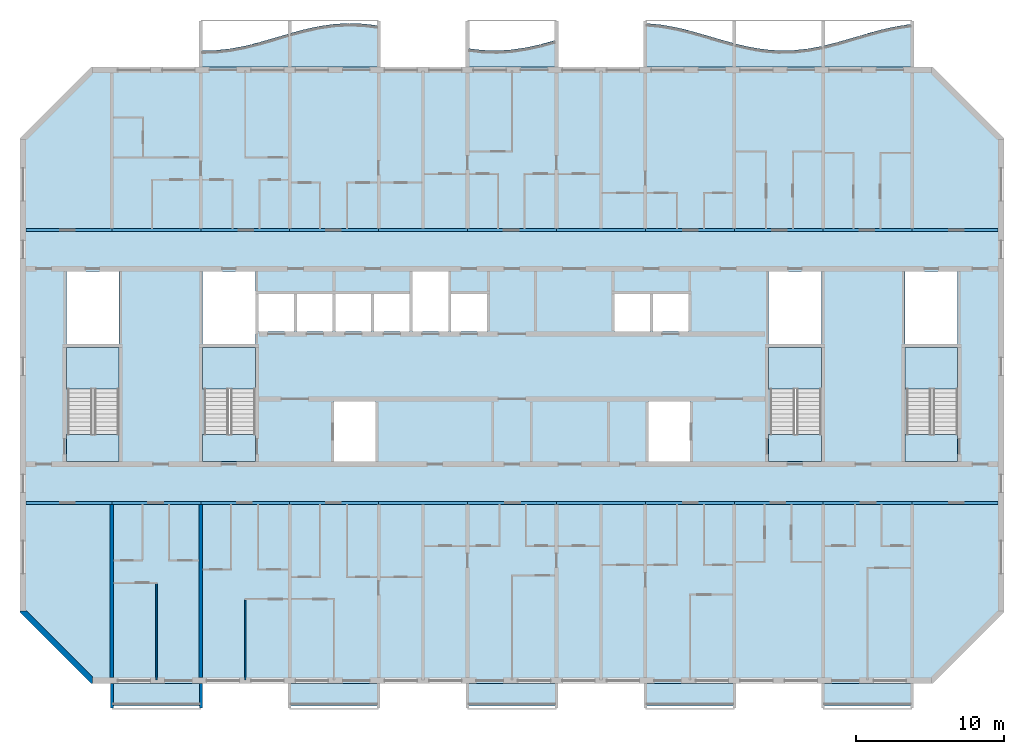
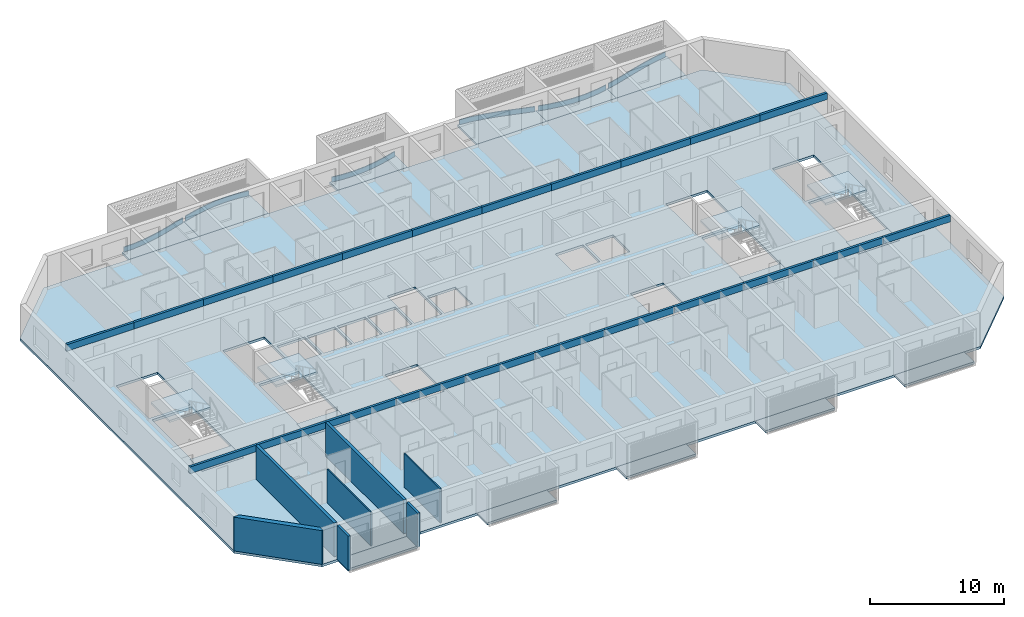
# One storey, part 1 of 26: 22 beams, 20 slabs, 7 walls, 6 plates, 4 elements without a shape of their own.
"""IFC4 building model written with IfcOpenShell, lengths in metres."""

from ifc_helpers import new_model, si_unit, direction, frame, frame_2d, origin, origin_2d, place, context, subcontext, project, spatial, polyline, rectangle, outline, extrude, source, transform, mapped, material, layer, layer_set, material_profile, profile_set, type_object, element, aggregate, save


model = new_model("IFC4")

# Units and contexts
model_context = context("Model", 3, precision=1e-05, world=origin(), true_north=direction((0.0, 1.0)))
body_context = subcontext(model_context, "Body", "Model", "MODEL_VIEW")
ifc_project = project(units=[si_unit("LENGTHUNIT", "METRE"), si_unit("AREAUNIT", "SQUARE_METRE"), si_unit("VOLUMEUNIT", "CUBIC_METRE"), si_unit("PLANEANGLEUNIT", "RADIAN"), si_unit("MASSUNIT", "GRAM", prefix="KILO")], contexts=[model_context])

# Site, building, storey
site_placement = place(None, origin())
site = spatial("IfcSite", under=ifc_project, at=site_placement, CompositionType="ELEMENT")
building_placement = place(site_placement, origin())
building = spatial("IfcBuilding", under=site, at=building_placement, Name="Poui Terraces", CompositionType="ELEMENT")
storey_placement = place(building_placement, frame((0.0, 0.0, 224.699951171875)))
storey = spatial("IfcBuildingStorey", under=building, at=storey_placement, Name="L62", CompositionType="ELEMENT", Elevation=224.699951171875)

# Beams
ifc_material_1 = material(Name="Concrete 50 MPa", Category="concrete")
ifc_material_profile = material_profile(ifc_material_1, rectangle(XDim=0.199951171875, YDim=0.60009765625, at=origin_2d()), Name="RC 200x600")
ifc_profile_set = profile_set([ifc_material_profile], Name="Concrete 50 MPa")
beam_type = type_object("IfcBeamType", Name="COUPLING BEAM 200x600 50MPa", PredefinedType="BEAM", material=ifc_profile_set)
shared_shape_1 = source(origin(), body_context, "Body", "SweptSolid", [
    extrude(rectangle(XDim=0.199951171875, YDim=0.60009765625, at=origin_2d()), origin(), (0.0, 0.0, 1.0), 5.800048828125),
])
for number, where, z_axis, x_axis, name in (
    (1, (18.199951171875, 12.0, 2.780029296875), (1.0, 0.0, 0.0), (0.0, 1.0, 0.0), "COUPLING BEAM LINE B BAY 1"),
    (2, (78.0, 12.0, 2.780029296875), (1.0, 0.0, 0.0), (0.0, 1.0, 0.0), "COUPLING BEAM LINE B BAY 11"),
    (3, (18.199951171875, 30.39990234375, 2.780029296875), (1.0, 0.0, 0.0), (0.0, 1.0, 0.0), "COUPLING BEAM LINE E BAY 1"),
    (4, (78.0, 30.39990234375, 2.780029296875), (1.0, 0.0, 0.0), (0.0, 1.0, 0.0), "COUPLING BEAM LINE E BAY 11"),
):
    element("IfcBeam", number, at=place(storey_placement, frame(where, z_axis=z_axis, x_axis=x_axis)), inside=storey, type_object=beam_type, Name=name, PredefinedType="BEAM", context=body_context, shape_type="MappedRepresentation", body=[
        mapped(shared_shape_1, transform((0.0, 0.0, 0.0))),
    ])
shared_shape_2 = source(origin(), body_context, "Body", "SweptSolid", [
    extrude(rectangle(XDim=0.199951171875, YDim=0.60009765625, at=origin_2d()), origin(), (0.0, 0.0, 1.0), 6.0),
])
for number, where, z_axis, x_axis, name in (
    (5, (24.0, 12.0, 2.780029296875), (1.0, 0.0, 0.0), (0.0, 1.0, 0.0), "COUPLING BEAM LINE B BAY 2"),
    (6, (30.0, 12.0, 2.780029296875), (1.0, 0.0, 0.0), (0.0, 1.0, 0.0), "COUPLING BEAM LINE B BAY 3"),
    (7, (36.0, 12.0, 2.780029296875), (1.0, 0.0, 0.0), (0.0, 1.0, 0.0), "COUPLING BEAM LINE B BAY 4"),
    (8, (42.0, 12.0, 2.780029296875), (1.0, 0.0, 0.0), (0.0, 1.0, 0.0), "COUPLING BEAM LINE B BAY 5"),
    (9, (48.0, 12.0, 2.780029296875), (1.0, 0.0, 0.0), (0.0, 1.0, 0.0), "COUPLING BEAM LINE B BAY 6"),
    (10, (54.0, 12.0, 2.780029296875), (1.0, 0.0, 0.0), (0.0, 1.0, 0.0), "COUPLING BEAM LINE B BAY 7"),
    (11, (60.0, 12.0, 2.780029296875), (1.0, 0.0, 0.0), (0.0, 1.0, 0.0), "COUPLING BEAM LINE B BAY 8"),
    (12, (66.0, 12.0, 2.780029296875), (1.0, 0.0, 0.0), (0.0, 1.0, 0.0), "COUPLING BEAM LINE B BAY 9"),
    (13, (72.0, 12.0, 2.780029296875), (1.0, 0.0, 0.0), (0.0, 1.0, 0.0), "COUPLING BEAM LINE B BAY 10"),
    (14, (24.0, 30.39990234375, 2.780029296875), (1.0, 0.0, 0.0), (0.0, 1.0, 0.0), "COUPLING BEAM LINE E BAY 2"),
    (15, (30.0, 30.39990234375, 2.780029296875), (1.0, 0.0, 0.0), (0.0, 1.0, 0.0), "COUPLING BEAM LINE E BAY 3"),
    (16, (36.0, 30.39990234375, 2.780029296875), (1.0, 0.0, 0.0), (0.0, 1.0, 0.0), "COUPLING BEAM LINE E BAY 4"),
    (17, (42.0, 30.39990234375, 2.780029296875), (1.0, 0.0, 0.0), (0.0, 1.0, 0.0), "COUPLING BEAM LINE E BAY 5"),
    (18, (48.0, 30.39990234375, 2.780029296875), (1.0, 0.0, 0.0), (0.0, 1.0, 0.0), "COUPLING BEAM LINE E BAY 6"),
    (19, (54.0, 30.39990234375, 2.780029296875), (1.0, 0.0, 0.0), (0.0, 1.0, 0.0), "COUPLING BEAM LINE E BAY 7"),
    (20, (60.0, 30.39990234375, 2.780029296875), (1.0, 0.0, 0.0), (0.0, 1.0, 0.0), "COUPLING BEAM LINE E BAY 8"),
    (21, (66.0, 30.39990234375, 2.780029296875), (1.0, 0.0, 0.0), (0.0, 1.0, 0.0), "COUPLING BEAM LINE E BAY 9"),
    (22, (72.0, 30.39990234375, 2.780029296875), (1.0, 0.0, 0.0), (0.0, 1.0, 0.0), "COUPLING BEAM LINE E BAY 10"),
):
    element("IfcBeam", number, at=place(storey_placement, frame(where, z_axis=z_axis, x_axis=x_axis)), inside=storey, type_object=beam_type, Name=name, PredefinedType="BEAM", context=body_context, shape_type="MappedRepresentation", body=[
        mapped(shared_shape_2, transform((0.0, 0.0, 0.0))),
    ])

# Slabs
ifc_material_2 = material(Name="Precast concrete 40 MPa", Category="concrete")
ifc_layer_1 = layer(ifc_material_2, 0.199951171875)
ifc_layer_set_1 = layer_set([ifc_layer_1], Name="Precast concrete 40 MPa")
slab_type_1 = type_object("IfcSlabType", Name="BALCONY SLAB 200", PredefinedType="FLOOR", material=ifc_layer_set_1)
slab_1_placement = place(storey_placement, frame((0.0, 0.0, -0.199951171875)))
element("IfcSlab", 23, at=slab_1_placement, inside=storey, type_object=slab_type_1, Name="BALCONY SLAB", PredefinedType="FLOOR", context=body_context, shape_type="SweptSolid", body=[
    extrude(outline(polyline([(30.0, 41.39990234375), (36.0, 41.39990234375), (36.0, 43.658447265625), (35.0, 43.363037109375), (34.0, 43.073974609375), (33.0, 42.821044921875), (32.0, 42.630126953125), (31.0, 42.521240234375), (30.0, 42.50537109375), (30.0, 41.39990234375)])), origin(), (0.0, 0.0, 1.0), 0.199951171875),
])
slab_2_placement = place(storey_placement, frame((0.0, 0.0, -0.199951171875)))
element("IfcSlab", 24, at=slab_2_placement, inside=storey, type_object=slab_type_1, Name="BALCONY SLAB", PredefinedType="FLOOR", context=body_context, shape_type="SweptSolid", body=[
    extrude(outline(polyline([(36.0, 41.39990234375), (42.0, 41.39990234375), (42.0, 44.17919921875), (41.0, 44.309814453125), (40.0, 44.349609375), (39.0, 44.294189453125), (38.0, 44.1494140625), (37.0, 43.9296875), (36.0, 43.658447265625), (36.0, 41.39990234375)])), origin(), (0.0, 0.0, 1.0), 0.199951171875),
])
slab_3_placement = place(storey_placement, frame((0.0, 0.0, -0.199951171875)))
element("IfcSlab", 25, at=slab_3_placement, inside=storey, type_object=slab_type_1, Name="BALCONY SLAB", PredefinedType="FLOOR", context=body_context, shape_type="SweptSolid", body=[
    extrude(outline(polyline([(48.0, 41.39990234375), (54.0, 41.39990234375), (54.0, 43.2158203125), (53.0, 42.941162109375), (52.0, 42.71630859375), (51.0, 42.564697265625), (50.0, 42.501220703125), (49.0, 42.533203125), (48.0, 42.65673828125), (48.0, 41.39990234375)])), origin(), (0.0, 0.0, 1.0), 0.199951171875),
])
slab_4_placement = place(storey_placement, frame((0.0, 0.0, -0.199951171875)))
element("IfcSlab", 26, at=slab_4_placement, inside=storey, type_object=slab_type_1, Name="BALCONY SLAB", PredefinedType="FLOOR", context=body_context, shape_type="SweptSolid", body=[
    extrude(outline(polyline([(60.0, 41.39990234375), (66.0, 41.39990234375), (66.0, 42.984130859375), (65.0, 43.264404296875), (64.0, 43.56103515625), (63.0, 43.84375), (62.0, 44.08349609375), (61.0, 44.25537109375), (60.0, 44.341796875), (60.0, 41.39990234375)])), origin(), (0.0, 0.0, 1.0), 0.199951171875),
])
slab_5_placement = place(storey_placement, frame((0.0, 0.0, -0.199951171875)))
element("IfcSlab", 27, at=slab_5_placement, inside=storey, type_object=slab_type_1, Name="BALCONY SLAB", PredefinedType="FLOOR", context=body_context, shape_type="SweptSolid", body=[
    extrude(outline(polyline([(66.0, 41.39990234375), (72.0, 41.39990234375), (72.0, 42.821044921875), (71.0, 42.630126953125), (70.0, 42.521240234375), (69.0, 42.50537109375), (68.0, 42.583984375), (67.0, 42.749267578125), (66.0, 42.984130859375), (66.0, 41.39990234375)])), origin(), (0.0, 0.0, 1.0), 0.199951171875),
])
slab_6_placement = place(storey_placement, frame((0.0, 0.0, -0.199951171875)))
element("IfcSlab", 28, at=slab_6_placement, inside=storey, type_object=slab_type_1, Name="BALCONY SLAB", PredefinedType="FLOOR", context=body_context, shape_type="SweptSolid", body=[
    extrude(outline(polyline([(72.0, 41.39990234375), (78.0, 41.39990234375), (78.0, 44.294189453125), (77.0, 44.1494140625), (76.0, 43.9296875), (75.0, 43.658447265625), (74.0, 43.363037109375), (73.0, 43.073974609375), (72.0, 42.821044921875), (72.0, 41.39990234375)])), origin(), (0.0, 0.0, 1.0), 0.199951171875),
])

# Stair, slabs
stair_type = type_object("IfcStairType", Name="EXIT STAIR 1650 50 MPA", PredefinedType="HALF_TURN_STAIR", material=ifc_material_1)
stair_1_placement = place(storey_placement, origin())
stair_1 = element("IfcStair", 29, at=stair_1_placement, inside=storey, type_object=stair_type, Name="L62 CORE STAIR EAST", PredefinedType="HALF_TURN_STAIR")
ifc_layer_2 = layer(ifc_material_1, 0.199951171875)
ifc_layer_set_2 = layer_set([ifc_layer_2], Name="Concrete 50 MPa")
slab_type_2 = type_object("IfcSlabType", Name="STAIR LANDING 200 50 MPA", PredefinedType="LANDING", material=ifc_layer_set_2)
slab_7_placement = place(storey_placement, frame((0.0, 0.0, 1.449951171875)))
slab_7 = element("IfcSlab", 30, at=slab_7_placement, type_object=slab_type_2, Name="ST-CE landing 1", PredefinedType="LANDING", context=body_context, shape_type="SweptSolid", body=[
    extrude(outline(polyline([(68.324951171875, 19.679931640625), (71.875, 19.679931640625), (71.875, 22.47509765625), (68.324951171875, 22.47509765625), (68.324951171875, 19.679931640625)])), origin(), (0.0, 0.0, 1.0), 0.2001953125),
])
slab_8_placement = place(storey_placement, frame((0.0, 0.0, -0.199951171875)))
slab_8 = element("IfcSlab", 31, at=slab_8_placement, type_object=slab_type_2, Name="ST-CE landing 2", PredefinedType="LANDING", context=body_context, shape_type="SweptSolid", body=[
    extrude(outline(polyline([(68.324951171875, 14.77490234375), (71.875, 14.77490234375), (71.875, 16.60009765625), (68.324951171875, 16.60009765625), (68.324951171875, 14.77490234375)])), origin(), (0.0, 0.0, 1.0), 0.199951171875),
])
aggregate(stair_1, [slab_7, slab_8])

stair_2_placement = place(storey_placement, origin())
stair_2 = element("IfcStair", 32, at=stair_2_placement, inside=storey, type_object=stair_type, Name="L62 CORE STAIR WEST", PredefinedType="HALF_TURN_STAIR")
slab_9_placement = place(storey_placement, frame((0.0, 0.0, 1.449951171875)))
slab_9 = element("IfcSlab", 33, at=slab_9_placement, type_object=slab_type_2, Name="ST-CW landing 1", PredefinedType="LANDING", context=body_context, shape_type="SweptSolid", body=[
    extrude(outline(polyline([(30.125, 19.679931640625), (33.675048828125, 19.679931640625), (33.675048828125, 22.47509765625), (30.125, 22.47509765625), (30.125, 19.679931640625)])), origin(), (0.0, 0.0, 1.0), 0.2001953125),
])
slab_10_placement = place(storey_placement, frame((0.0, 0.0, -0.199951171875)))
slab_10 = element("IfcSlab", 34, at=slab_10_placement, type_object=slab_type_2, Name="ST-CW landing 2", PredefinedType="LANDING", context=body_context, shape_type="SweptSolid", body=[
    extrude(outline(polyline([(30.125, 14.77490234375), (33.675048828125, 14.77490234375), (33.675048828125, 16.60009765625), (30.125, 16.60009765625), (30.125, 14.77490234375)])), origin(), (0.0, 0.0, 1.0), 0.199951171875),
])
aggregate(stair_2, [slab_9, slab_10])

stair_3_placement = place(storey_placement, origin())
stair_3 = element("IfcStair", 35, at=stair_3_placement, inside=storey, type_object=stair_type, Name="L62 TIP STAIR EAST", PredefinedType="HALF_TURN_STAIR")
slab_11_placement = place(storey_placement, frame((0.0, 0.0, 1.449951171875)))
slab_11 = element("IfcSlab", 36, at=slab_11_placement, type_object=slab_type_2, Name="ST-E landing 1", PredefinedType="LANDING", context=body_context, shape_type="SweptSolid", body=[
    extrude(outline(polyline([(77.52490234375, 19.679931640625), (81.074951171875, 19.679931640625), (81.074951171875, 22.47509765625), (77.52490234375, 22.47509765625), (77.52490234375, 19.679931640625)])), origin(), (0.0, 0.0, 1.0), 0.2001953125),
])
slab_12_placement = place(storey_placement, frame((0.0, 0.0, -0.199951171875)))
slab_12 = element("IfcSlab", 37, at=slab_12_placement, type_object=slab_type_2, Name="ST-E landing 2", PredefinedType="LANDING", context=body_context, shape_type="SweptSolid", body=[
    extrude(outline(polyline([(77.52490234375, 14.77490234375), (81.074951171875, 14.77490234375), (81.074951171875, 16.60009765625), (77.52490234375, 16.60009765625), (77.52490234375, 14.77490234375)])), origin(), (0.0, 0.0, 1.0), 0.199951171875),
])
aggregate(stair_3, [slab_11, slab_12])

stair_4_placement = place(storey_placement, origin())
stair_4 = element("IfcStair", 38, at=stair_4_placement, inside=storey, type_object=stair_type, Name="L62 TIP STAIR WEST", PredefinedType="HALF_TURN_STAIR")
slab_13_placement = place(storey_placement, frame((0.0, 0.0, 1.449951171875)))
slab_13 = element("IfcSlab", 39, at=slab_13_placement, type_object=slab_type_2, Name="ST-W landing 1", PredefinedType="LANDING", context=body_context, shape_type="SweptSolid", body=[
    extrude(outline(polyline([(20.925048828125, 19.679931640625), (24.47509765625, 19.679931640625), (24.47509765625, 22.47509765625), (20.925048828125, 22.47509765625), (20.925048828125, 19.679931640625)])), origin(), (0.0, 0.0, 1.0), 0.2001953125),
])
slab_14_placement = place(storey_placement, frame((0.0, 0.0, -0.199951171875)))
slab_14 = element("IfcSlab", 40, at=slab_14_placement, type_object=slab_type_2, Name="ST-W landing 2", PredefinedType="LANDING", context=body_context, shape_type="SweptSolid", body=[
    extrude(outline(polyline([(20.925048828125, 14.77490234375), (24.47509765625, 14.77490234375), (24.47509765625, 16.60009765625), (20.925048828125, 16.60009765625), (20.925048828125, 14.77490234375)])), origin(), (0.0, 0.0, 1.0), 0.199951171875),
])
aggregate(stair_4, [slab_13, slab_14])

# Plates
ifc_layer_3 = layer(ifc_material_2, 0.080078125)
ifc_layer_set_3 = layer_set([ifc_layer_3], Name="Precast concrete 40 MPa")
plate_type = type_object("IfcPlateType", Name="SUNSHADE UPSTAND 80", PredefinedType="SHEET", material=ifc_layer_set_3)
plate_1_placement = place(storey_placement, origin())
element("IfcPlate", 41, at=plate_1_placement, inside=storey, type_object=plate_type, Name="SUNSHADE UPSTAND", PredefinedType="SHEET", context=body_context, shape_type="SweptSolid", body=[
    extrude(outline(polyline([(30.997314453125, 42.51611328125), (30.1240234375, 42.4970703125), (30.1259765625, 42.4169921875), (31.002685546875, 42.436279296875), (32.005859375, 42.545654296875), (33.0087890625, 42.73681640625), (34.010498046875, 42.990234375), (35.01123046875, 43.279541015625), (35.886474609375, 43.538818359375), (35.863525390625, 43.615478515625), (34.98876953125, 43.356201171875), (33.989501953125, 43.0673828125), (32.9912109375, 42.81494140625), (31.994140625, 42.624755859375), (30.997314453125, 42.51611328125)])), origin(), (0.0, 0.0, 1.0), 0.449951171875),
])
plate_2_placement = place(storey_placement, origin())
element("IfcPlate", 42, at=plate_2_placement, inside=storey, type_object=plate_type, Name="SUNSHADE UPSTAND", PredefinedType="SHEET", context=body_context, shape_type="SweptSolid", body=[
    extrude(outline(polyline([(36.990478515625, 43.923583984375), (36.114501953125, 43.68798828125), (36.135498046875, 43.610595703125), (37.009521484375, 43.845947265625), (38.007080078125, 44.06494140625), (39.00390625, 44.20947265625), (40.000244140625, 44.2646484375), (40.99658203125, 44.22509765625), (41.8701171875, 44.115478515625), (41.8798828125, 44.19482421875), (41.00341796875, 44.3046875), (39.999755859375, 44.3447265625), (38.99609375, 44.2890625), (37.992919921875, 44.143798828125), (36.990478515625, 43.923583984375)])), origin(), (0.0, 0.0, 1.0), 0.449951171875),
])
plate_3_placement = place(storey_placement, origin())
element("IfcPlate", 43, at=plate_3_placement, inside=storey, type_object=plate_type, Name="SUNSHADE UPSTAND", PredefinedType="SHEET", context=body_context, shape_type="SweptSolid", body=[
    extrude(outline(polyline([(49.0029296875, 42.528076171875), (48.129638671875, 42.63134765625), (48.120361328125, 42.552001953125), (48.9970703125, 42.4482421875), (50.00048828125, 42.416259765625), (51.00439453125, 42.479736328125), (52.00732421875, 42.632080078125), (53.009521484375, 42.857421875), (53.885498046875, 43.095947265625), (53.864501953125, 43.173095703125), (52.990478515625, 42.93505859375), (51.99267578125, 42.710693359375), (50.99560546875, 42.559326171875), (49.99951171875, 42.496337890625), (49.0029296875, 42.528076171875)])), origin(), (0.0, 0.0, 1.0), 0.449951171875),
])
plate_4_placement = place(storey_placement, origin())
element("IfcPlate", 44, at=plate_4_placement, inside=storey, type_object=plate_type, Name="SUNSHADE UPSTAND", PredefinedType="SHEET", context=body_context, shape_type="SweptSolid", body=[
    extrude(outline(polyline([(61.005126953125, 44.25), (60.166259765625, 44.327392578125), (60.128662109375, 44.33056640625), (60.121337890625, 44.251220703125), (60.994873046875, 44.170654296875), (61.991943359375, 43.999267578125), (62.989990234375, 43.760009765625), (63.989013671875, 43.477783203125), (64.989013671875, 43.180908203125), (65.864013671875, 42.933837890625), (65.885986328125, 43.0107421875), (65.010986328125, 43.2578125), (64.010986328125, 43.554443359375), (63.010009765625, 43.83740234375), (62.008056640625, 44.07763671875), (61.005126953125, 44.25)])), origin(), (0.0, 0.0, 1.0), 0.449951171875),
])
plate_5_placement = place(storey_placement, origin())
element("IfcPlate", 45, at=plate_5_placement, inside=storey, type_object=plate_type, Name="SUNSHADE UPSTAND", PredefinedType="SHEET", context=body_context, shape_type="SweptSolid", body=[
    extrude(outline(polyline([(67.0078125, 42.74365234375), (66.134033203125, 42.94580078125), (66.115966796875, 42.867919921875), (66.9921875, 42.6650390625), (67.9951171875, 42.499267578125), (68.998779296875, 42.42041015625), (70.00244140625, 42.436279296875), (71.005859375, 42.545654296875), (71.88232421875, 42.708984375), (71.86767578125, 42.78759765625), (70.994140625, 42.624755859375), (69.99755859375, 42.51611328125), (69.001220703125, 42.50048828125), (68.0048828125, 42.578857421875), (67.0078125, 42.74365234375)])), origin(), (0.0, 0.0, 1.0), 0.449951171875),
])
plate_6_placement = place(storey_placement, origin())
element("IfcPlate", 46, at=plate_6_placement, inside=storey, type_object=plate_type, Name="SUNSHADE UPSTAND", PredefinedType="SHEET", context=body_context, shape_type="SweptSolid", body=[
    extrude(outline(polyline([(72.989501953125, 43.0673828125), (72.114990234375, 42.843505859375), (72.135009765625, 42.765869140625), (73.010498046875, 42.990234375), (74.01123046875, 43.279541015625), (75.010986328125, 43.574951171875), (76.009521484375, 43.845947265625), (77.00732421875, 44.06494140625), (77.880859375, 44.1962890625), (77.869140625, 44.275146484375), (77.8525390625, 44.272705078125), (76.99267578125, 44.143798828125), (75.990478515625, 43.923583984375), (74.989013671875, 43.65185546875), (73.98876953125, 43.356201171875), (72.989501953125, 43.0673828125)])), origin(), (0.0, 0.0, 1.0), 0.449951171875),
])

# Slabs
ifc_material_3 = material(Name="Concrete 40 MPa", Category="concrete")
ifc_layer_4 = layer(ifc_material_3, 0.219970703125)
ifc_layer_set_4 = layer_set([ifc_layer_4], Name="Concrete 40 MPa")
slab_type_3 = type_object("IfcSlabType", Name="FLOOR SLAB 220", PredefinedType="FLOOR", material=ifc_layer_set_4)
shared_shape_3 = source(origin(), body_context, "Body", "SweptSolid", [
    extrude(outline(polyline([(0.0, 0.0), (4.800048828125, -4.800048828125), (61.599853515625, -4.800048828125), (66.39990234375, 0.0), (66.39990234375, 32.0), (61.599853515625, 36.7998046875), (4.800048828125, 36.7998046875), (0.0, 32.0), (0.0, 0.0)]), holes=[polyline([(21.199951171875, 10.1748046875), (21.199951171875, 14.224853515625), (24.0, 14.224853515625), (24.0, 10.1748046875), (21.199951171875, 10.1748046875)]), polyline([(3.224853515625, 17.849853515625), (6.675048828125, 17.849853515625), (6.675048828125, 12.0), (6.675048828125, 10.1748046875), (3.125, 10.1748046875), (3.125, 12.0), (3.224853515625, 12.0), (3.224853515625, 17.849853515625)]), polyline([(12.425048828125, 17.849853515625), (15.875, 17.849853515625), (15.875, 12.0), (15.875, 10.1748046875), (12.324951171875, 10.1748046875), (12.324951171875, 12.0), (12.425048828125, 12.0), (12.425048828125, 17.849853515625)]), polyline([(16.099853515625, 18.974853515625), (16.099853515625, 21.5), (18.5, 21.5), (18.5, 18.974853515625), (16.099853515625, 18.974853515625)]), polyline([(18.699951171875, 18.974853515625), (18.699951171875, 21.5), (21.099853515625, 21.5), (21.099853515625, 18.974853515625), (18.699951171875, 18.974853515625)]), polyline([(21.300048828125, 18.974853515625), (21.300048828125, 21.5), (23.699951171875, 21.5), (23.699951171875, 18.974853515625), (21.300048828125, 18.974853515625)]), polyline([(23.89990234375, 18.974853515625), (23.89990234375, 21.5), (26.300048828125, 21.5), (26.300048828125, 18.974853515625), (23.89990234375, 18.974853515625)]), polyline([(3.125, 23.02490234375), (6.675048828125, 23.02490234375), (6.675048828125, 18.125), (3.125, 18.125), (3.125, 23.02490234375)]), polyline([(12.324951171875, 23.02490234375), (15.875, 23.02490234375), (15.875, 18.125), (12.324951171875, 18.125), (12.324951171875, 23.02490234375)]), polyline([(42.39990234375, 10.1748046875), (42.39990234375, 14.224853515625), (45.199951171875, 14.224853515625), (45.199951171875, 10.1748046875), (42.39990234375, 10.1748046875)]), polyline([(50.625, 17.849853515625), (54.074951171875, 17.849853515625), (54.074951171875, 12.0), (54.074951171875, 10.1748046875), (50.52490234375, 10.1748046875), (50.52490234375, 12.0), (50.625, 12.0), (50.625, 17.849853515625)]), polyline([(59.824951171875, 17.849853515625), (63.27490234375, 17.849853515625), (63.27490234375, 12.0), (63.27490234375, 10.1748046875), (59.724853515625, 10.1748046875), (59.724853515625, 12.0), (59.824951171875, 12.0), (59.824951171875, 17.849853515625)]), polyline([(29.099853515625, 18.974853515625), (29.099853515625, 21.5), (31.5, 21.5), (31.5, 18.974853515625), (29.099853515625, 18.974853515625)]), polyline([(40.099853515625, 18.974853515625), (40.099853515625, 21.5), (42.5, 21.5), (42.5, 18.974853515625), (40.099853515625, 18.974853515625)]), polyline([(42.699951171875, 18.974853515625), (42.699951171875, 21.5), (45.099853515625, 21.5), (45.099853515625, 18.974853515625), (42.699951171875, 18.974853515625)]), polyline([(50.52490234375, 18.125), (50.52490234375, 23.02490234375), (54.074951171875, 23.02490234375), (54.074951171875, 18.125), (50.52490234375, 18.125)]), polyline([(59.724853515625, 23.02490234375), (63.27490234375, 23.02490234375), (63.27490234375, 18.125), (59.724853515625, 18.125), (59.724853515625, 23.02490234375)]), polyline([(26.5, 23.02490234375), (28.89990234375, 23.02490234375), (28.89990234375, 18.974853515625), (26.5, 18.974853515625), (26.5, 23.02490234375)])]), origin(), (0.0, 0.0, 1.0), 0.219970703125),
])
slab_15_placement = place(storey_placement, frame((17.800048828125, 4.60009765625, -0.219970703125)))
element("IfcSlab", 47, at=slab_15_placement, inside=storey, type_object=slab_type_3, Name="FLOOR SLAB", PredefinedType="FLOOR", context=body_context, shape_type="MappedRepresentation", body=[
    mapped(shared_shape_3, transform((0.0, 0.0, 0.0))),
])
ifc_layer_5 = layer(ifc_material_2, 0.199951171875)
ifc_layer_set_5 = layer_set([ifc_layer_5], Name="Precast concrete 40 MPa")
slab_type_4 = type_object("IfcSlabType", Name="REAR BALCONY SLAB 200", PredefinedType="FLOOR", material=ifc_layer_set_5)
shared_shape_4 = source(origin(), body_context, "Body", "SweptSolid", [
    extrude(outline(polyline([(0.0, 0.0), (6.0, 0.0), (6.0, 1.5), (0.0, 1.5), (0.0, 0.0)])), origin(), (0.0, 0.0, 1.0), 0.199951171875),
])
for number, where, name in (
    (48, (24.0, -1.699951171875, -0.199951171875), "REAR BALCONY SLAB"),
    (49, (36.0, -1.699951171875, -0.199951171875), "REAR BALCONY SLAB"),
    (50, (48.0, -1.699951171875, -0.199951171875), "REAR BALCONY SLAB"),
    (51, (60.0, -1.699951171875, -0.199951171875), "REAR BALCONY SLAB"),
    (52, (72.0, -1.699951171875, -0.199951171875), "REAR BALCONY SLAB"),
):
    element("IfcSlab", number, at=place(storey_placement, frame(where)), inside=storey, type_object=slab_type_4, Name=name, PredefinedType="FLOOR", context=body_context, shape_type="MappedRepresentation", body=[
        mapped(shared_shape_4, transform((0.0, 0.0, 0.0))),
    ])

# Walls
ifc_layer_6 = layer(ifc_material_1, 0.25)
ifc_layer_set_6 = layer_set([ifc_layer_6], Name="Concrete 50 MPa")
wall_type_1 = type_object("IfcWallType", Name="CROSS WALL 250 50MPa", PredefinedType="SHEAR", material=ifc_layer_set_6)
for number, where, z_axis, x_axis, name in (
    (53, (24.0, 0.199951171875, 0.0), (0.0, 0.0, 1.0), (0.0, 1.0, 0.0), "CROSS WALL LINE 5 SOUTH"),
    (54, (30.0, 0.199951171875, 0.0), (0.0, 0.0, 1.0), (0.0, 1.0, 0.0), "CROSS WALL LINE 6 SOUTH"),
):
    element("IfcWall", number, at=place(storey_placement, frame(where, z_axis=z_axis, x_axis=x_axis)), inside=storey, type_object=wall_type_1, Name=name, PredefinedType="SHEAR", context=body_context, shape_type="SweptSolid", body=[
        extrude(rectangle(XDim=11.699951171875, YDim=0.25, at=frame_2d((5.85009765625, 0.0))), origin(), (0.0, 0.0, 1.0), 3.080078125),
    ])
ifc_material_4 = material(Name="Plasterboard partition")
ifc_layer_7 = layer(ifc_material_4, 0.10009765625)
ifc_layer_set_7 = layer_set([ifc_layer_7], Name="Plasterboard partition")
wall_type_2 = type_object("IfcWallType", Name="FLAT PARTITION 100", PredefinedType="PARTITIONING", material=ifc_layer_set_7)
wall_1_placement = place(storey_placement, frame((27.0, 0.06005859375, 0.0), z_axis=(0.0, 0.0, 1.0), x_axis=(0.0, 1.0, 0.0)))
element("IfcWall", 55, at=wall_1_placement, inside=storey, type_object=wall_type_2, Name="FLAT PARTITION 100", PredefinedType="PARTITIONING", context=body_context, shape_type="SweptSolid", body=[
    extrude(rectangle(XDim=6.489990234375, YDim=0.10009765625, at=frame_2d((3.2451171875, 0.0))), origin(), (0.0, 0.0, 1.0), 3.080078125),
])
wall_2_placement = place(storey_placement, frame((33.0, 0.06005859375, 0.0), z_axis=(0.0, 0.0, 1.0), x_axis=(0.0, 1.0, 0.0)))
element("IfcWall", 56, at=wall_2_placement, inside=storey, type_object=wall_type_2, Name="FLAT PARTITION 100", PredefinedType="PARTITIONING", context=body_context, shape_type="SweptSolid", body=[
    extrude(rectangle(XDim=5.389892578125, YDim=0.10009765625, at=frame_2d((2.69482421875, 0.0))), origin(), (0.0, 0.0, 1.0), 3.080078125),
])
ifc_layer_8 = layer(ifc_material_2, 0.39990234375)
ifc_layer_set_8 = layer_set([ifc_layer_8], Name="Precast concrete 40 MPa")
wall_type_3 = type_object("IfcWallType", Name="TERRACOTTA CLAD CHAMFER WALL 400", PredefinedType="STANDARD", material=ifc_layer_set_8)
wall_3_placement = place(storey_placement, origin())
element("IfcWall", 57, at=wall_3_placement, inside=storey, type_object=wall_type_3, Name="CHAMFER WALL CH07", PredefinedType="STANDARD", context=body_context, shape_type="SweptSolid", body=[
    extrude(outline(polyline([(17.800048828125, 4.682861328125), (17.800048828125, 4.60009765625), (22.60009765625, -0.199951171875), (22.682861328125, -0.199951171875), (22.682861328125, 0.28271484375), (18.28271484375, 4.682861328125), (17.800048828125, 4.682861328125)])), origin(), (0.0, 0.0, 1.0), 3.080078125),
])
ifc_layer_9 = layer(ifc_material_2, 0.199951171875)
ifc_layer_set_9 = layer_set([ifc_layer_9], Name="Precast concrete 40 MPa")
wall_type_4 = type_object("IfcWallType", Name="REAR FIN 200", PredefinedType="STANDARD", material=ifc_layer_set_9)
shared_shape_5 = source(origin(), body_context, "Body", "SweptSolid", [
    extrude(outline(polyline([(0.0, 0.0), (0.2001953125, 0.0), (0.2001953125, 1.650146484375), (0.0, 1.650146484375), (0.0, 0.0)])), origin(), (0.0, 0.0, 1.0), 3.10009765625),
])
for number, where, name in (
    (58, (23.89990234375, -1.85009765625, 0.0), "REAR FIN"),
    (59, (29.89990234375, -1.85009765625, 0.0), "REAR FIN"),
):
    element("IfcWall", number, at=place(storey_placement, frame(where)), inside=storey, type_object=wall_type_4, Name=name, PredefinedType="STANDARD", context=body_context, shape_type="MappedRepresentation", body=[
        mapped(shared_shape_5, transform((0.0, 0.0, 0.0))),
    ])

save(model, "model.ifc")
